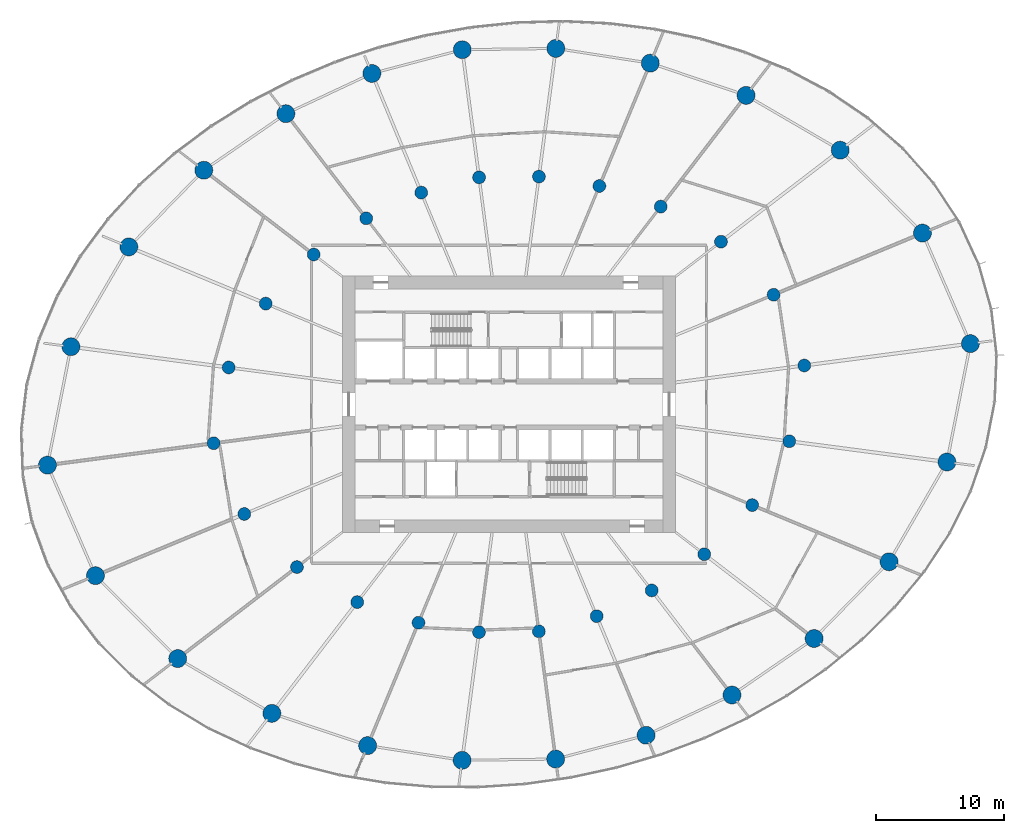
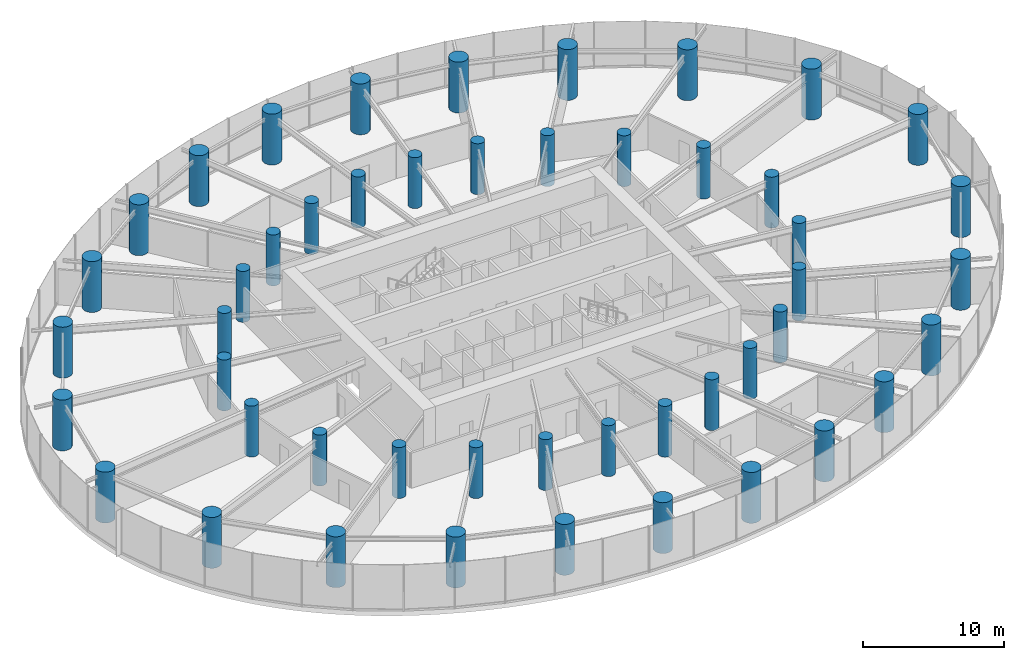
# One storey, part 1 of 19: 48 columns.
"""IFC4 building model written with IfcOpenShell, lengths in metres."""

from ifc_helpers import new_model, si_unit, direction, frame, origin, origin_2d, place, context, subcontext, project, spatial, circle, extrude, source, transform, mapped, material, material_profile, profile_set, type_object, element, save


model = new_model("IFC4")

# Units and contexts
model_context = context("Model", 3, precision=1e-05, world=origin(), true_north=direction((0.0, 1.0)))
body_context = subcontext(model_context, "Body", "Model", "MODEL_VIEW")
ifc_project = project(units=[si_unit("LENGTHUNIT", "METRE"), si_unit("AREAUNIT", "SQUARE_METRE"), si_unit("VOLUMEUNIT", "CUBIC_METRE"), si_unit("PLANEANGLEUNIT", "RADIAN"), si_unit("MASSUNIT", "GRAM", prefix="KILO")], contexts=[model_context])

# Site, building, storey
site_placement = place(None, origin())
site = spatial("IfcSite", under=ifc_project, at=site_placement, CompositionType="ELEMENT")
building_placement = place(site_placement, origin())
building = spatial("IfcBuilding", under=site, at=building_placement, Name="Spindrift Exchange Tower", CompositionType="ELEMENT")
storey_placement = place(building_placement, frame((0.0, 0.0, 57.800048828125)))
storey = spatial("IfcBuildingStorey", under=building, at=storey_placement, Name="L13", CompositionType="ELEMENT", Elevation=57.800048828125)

# Columns
ifc_material = material(Name="Concrete 80 MPa", Category="concrete")
ifc_material_profile_1 = material_profile(ifc_material, circle(Radius=0.699951171875, at=origin_2d()), Name="RC D1400")
ifc_profile_set_1 = profile_set([ifc_material_profile_1], Name="Concrete 80 MPa")
column_type_1 = type_object("IfcColumnType", Name="RC Perimeter Column D1400 Concrete 80 MPa", PredefinedType="COLUMN", material=ifc_profile_set_1)
shared_shape_1 = source(origin(), body_context, "Body", "SweptSolid", [
    extrude(circle(Radius=0.699951171875, at=origin_2d()), origin(), (0.0, 0.0, 1.0), 4.39990234375),
])
for number, where, z_axis, x_axis, name in (
    (1, (87.990478515625, 52.73828125, 0.0), (0.0, 0.0, 1.0), (1.0, 0.0, 0.0), "Perimeter column P1-01 L13"),
    (2, (84.248779296875, 61.35791015625, 0.0), (0.0, 0.0, 1.0), (1.0, 0.0, 0.0), "Perimeter column P1-02 L13"),
    (3, (77.835693359375, 67.82421875, 0.0), (0.0, 0.0, 1.0), (1.0, 0.0, 0.0), "Perimeter column P1-03 L13"),
    (4, (70.4921875, 72.099609375, 0.0), (0.0, 0.0, 1.0), (1.0, 0.0, 0.0), "Perimeter column P1-04 L13"),
    (5, (63.022705078125, 74.611328125, 0.0), (0.0, 0.0, 1.0), (1.0, 0.0, 0.0), "Perimeter column P1-05 L13"),
    (6, (55.65478515625, 75.761474609375, 0.0), (0.0, 0.0, 1.0), (1.0, 0.0, 0.0), "Perimeter column P1-06 L13"),
    (7, (48.3583984375, 75.661376953125, 0.0), (0.0, 0.0, 1.0), (1.0, 0.0, 0.0), "Perimeter column P1-07 L13"),
    (8, (41.309814453125, 73.80859375, 0.0), (0.0, 0.0, 1.0), (1.0, 0.0, 0.0), "Perimeter column P1-08 L13"),
    (9, (34.603515625, 70.671630859375, 0.0), (0.0, 0.0, 1.0), (1.0, 0.0, 0.0), "Perimeter column P1-09 L13"),
    (10, (28.199462890625, 66.2626953125, 0.0), (0.0, 0.0, 1.0), (1.0, 0.0, 0.0), "Perimeter column P1-10 L13"),
    (11, (22.35546875, 60.279296875, 0.0), (0.0, 0.0, 1.0), (1.0, 0.0, 0.0), "Perimeter column P1-11 L13"),
    (12, (17.8388671875, 52.497314453125, 0.0), (0.0, 0.0, 1.0), (1.0, 0.0, 0.0), "Perimeter column P1-12 L13"),
    (13, (16.009521484375, 43.26171875, 0.0), (0.0, 0.0, 1.0), (1.0, 0.0, 0.0), "Perimeter column P1-13 L13"),
    (14, (19.751220703125, 34.64208984375, 0.0), (0.0, 0.0, 1.0), (1.0, 0.0, 0.0), "Perimeter column P1-14 L13"),
    (15, (26.164306640625, 28.17578125, 0.0), (0.0, 0.0, 1.0), (1.0, 0.0, 0.0), "Perimeter column P1-15 L13"),
    (16, (33.5078125, 23.900390625, 0.0), (0.0, 0.0, 1.0), (1.0, 0.0, 0.0), "Perimeter column P1-16 L13"),
    (17, (40.977294921875, 21.388671875, 0.0), (0.0, 0.0, 1.0), (1.0, 0.0, 0.0), "Perimeter column P1-17 L13"),
    (18, (48.34521484375, 20.238525390625, 0.0), (0.0, 0.0, 1.0), (1.0, 0.0, 0.0), "Perimeter column P1-18 L13"),
    (19, (55.6416015625, 20.338623046875, 0.0), (0.0, 0.0, 1.0), (1.0, 0.0, 0.0), "Perimeter column P1-19 L13"),
    (20, (62.690185546875, 22.19140625, 0.0), (0.0, 0.0, 1.0), (1.0, 0.0, 0.0), "Perimeter column P1-20 L13"),
    (21, (69.396484375, 25.328369140625, 0.0), (0.0, 0.0, 1.0), (1.0, 0.0, 0.0), "Perimeter column P1-21 L13"),
    (22, (75.800537109375, 29.7373046875, 0.0), (0.0, 0.0, 1.0), (1.0, 0.0, 0.0), "Perimeter column P1-22 L13"),
    (23, (81.64453125, 35.720703125, 0.0), (0.0, 0.0, 1.0), (1.0, 0.0, 0.0), "Perimeter column P1-23 L13"),
    (24, (86.1611328125, 43.502685546875, 0.0), (0.0, 0.0, 1.0), (1.0, 0.0, 0.0), "Perimeter column P1-24 L13"),
):
    element("IfcColumn", number, at=place(storey_placement, frame(where, z_axis=z_axis, x_axis=x_axis)), inside=storey, type_object=column_type_1, Name=name, PredefinedType="COLUMN", context=body_context, shape_type="MappedRepresentation", body=[
        mapped(shared_shape_1, transform((0.0, 0.0, 0.0), scale=1.0)),
    ])
ifc_material_profile_2 = material_profile(ifc_material, circle(Radius=0.5, at=origin_2d()), Name="RC D1000")
ifc_profile_set_2 = profile_set([ifc_material_profile_2], Name="Concrete 80 MPa")
column_type_2 = type_object("IfcColumnType", Name="RC Inner Column D1000 Concrete 80 MPa", PredefinedType="COLUMN", material=ifc_profile_set_2)
shared_shape_2 = source(origin(), body_context, "Body", "SweptSolid", [
    extrude(circle(Radius=0.5, at=origin_2d()), origin(), (0.0, 0.0, 1.0), 4.39990234375),
])
for number, where, z_axis, x_axis, name in (
    (25, (75.033935546875, 51.032470703125, 0.0), (0.0, 0.0, 1.0), (1.0, 0.0, 0.0), "Inner column Q1-01 L13"),
    (26, (72.639404296875, 56.549072265625, 0.0), (0.0, 0.0, 1.0), (1.0, 0.0, 0.0), "Inner column Q1-02 L13"),
    (27, (68.534912109375, 60.6875, 0.0), (0.0, 0.0, 1.0), (1.0, 0.0, 0.0), "Inner column Q1-03 L13"),
    (28, (63.835205078125, 63.423828125, 0.0), (0.0, 0.0, 1.0), (1.0, 0.0, 0.0), "Inner column Q1-04 L13"),
    (29, (59.0546875, 65.03125, 0.0), (0.0, 0.0, 1.0), (1.0, 0.0, 0.0), "Inner column Q1-05 L13"),
    (30, (54.339111328125, 65.767333984375, 0.0), (0.0, 0.0, 1.0), (1.0, 0.0, 0.0), "Inner column Q1-06 L13"),
    (31, (49.669189453125, 65.703125, 0.0), (0.0, 0.0, 1.0), (1.0, 0.0, 0.0), "Inner column Q1-07 L13"),
    (32, (45.158203125, 64.517578125, 0.0), (0.0, 0.0, 1.0), (1.0, 0.0, 0.0), "Inner column Q1-08 L13"),
    (33, (40.8662109375, 62.510009765625, 0.0), (0.0, 0.0, 1.0), (1.0, 0.0, 0.0), "Inner column Q1-09 L13"),
    (34, (36.767578125, 59.688232421875, 0.0), (0.0, 0.0, 1.0), (1.0, 0.0, 0.0), "Inner column Q1-10 L13"),
    (35, (33.027587890625, 55.858642578125, 0.0), (0.0, 0.0, 1.0), (1.0, 0.0, 0.0), "Inner column Q1-11 L13"),
    (36, (30.13671875, 50.87841796875, 0.0), (0.0, 0.0, 1.0), (1.0, 0.0, 0.0), "Inner column Q1-12 L13"),
    (37, (28.966064453125, 44.967529296875, 0.0), (0.0, 0.0, 1.0), (1.0, 0.0, 0.0), "Inner column Q1-13 L13"),
    (38, (31.360595703125, 39.450927734375, 0.0), (0.0, 0.0, 1.0), (1.0, 0.0, 0.0), "Inner column Q1-14 L13"),
    (39, (35.465087890625, 35.3125, 0.0), (0.0, 0.0, 1.0), (1.0, 0.0, 0.0), "Inner column Q1-15 L13"),
    (40, (40.164794921875, 32.576171875, 0.0), (0.0, 0.0, 1.0), (1.0, 0.0, 0.0), "Inner column Q1-16 L13"),
    (41, (44.9453125, 30.96875, 0.0), (0.0, 0.0, 1.0), (1.0, 0.0, 0.0), "Inner column Q1-17 L13"),
    (42, (49.660888671875, 30.232666015625, 0.0), (0.0, 0.0, 1.0), (1.0, 0.0, 0.0), "Inner column Q1-18 L13"),
    (43, (54.330810546875, 30.296875, 0.0), (0.0, 0.0, 1.0), (1.0, 0.0, 0.0), "Inner column Q1-19 L13"),
    (44, (58.841796875, 31.482421875, 0.0), (0.0, 0.0, 1.0), (1.0, 0.0, 0.0), "Inner column Q1-20 L13"),
    (45, (63.1337890625, 33.489990234375, 0.0), (0.0, 0.0, 1.0), (1.0, 0.0, 0.0), "Inner column Q1-21 L13"),
    (46, (67.232421875, 36.311767578125, 0.0), (0.0, 0.0, 1.0), (1.0, 0.0, 0.0), "Inner column Q1-22 L13"),
    (47, (70.972412109375, 40.141357421875, 0.0), (0.0, 0.0, 1.0), (1.0, 0.0, 0.0), "Inner column Q1-23 L13"),
    (48, (73.86328125, 45.12158203125, 0.0), (0.0, 0.0, 1.0), (1.0, 0.0, 0.0), "Inner column Q1-24 L13"),
):
    element("IfcColumn", number, at=place(storey_placement, frame(where, z_axis=z_axis, x_axis=x_axis)), inside=storey, type_object=column_type_2, Name=name, PredefinedType="COLUMN", context=body_context, shape_type="MappedRepresentation", body=[
        mapped(shared_shape_2, transform((0.0, 0.0, 0.0), scale=1.0)),
    ])

save(model, "model.ifc")
